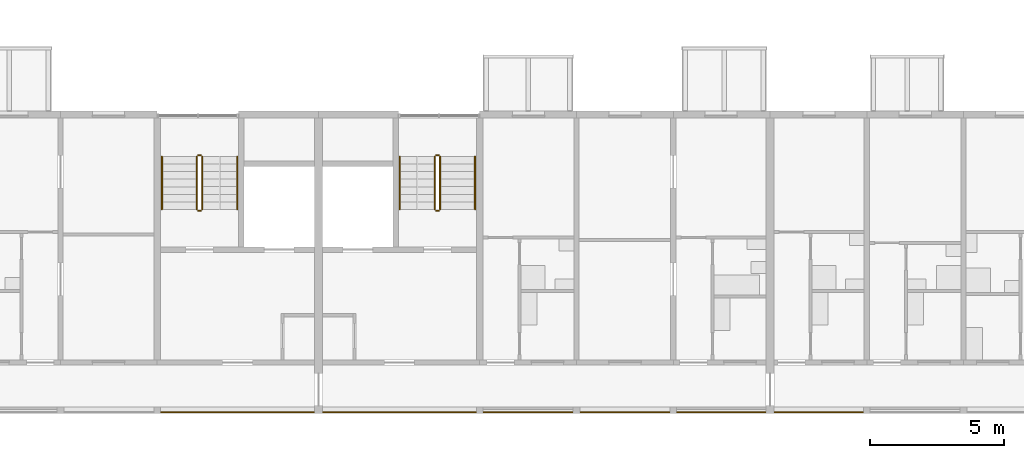
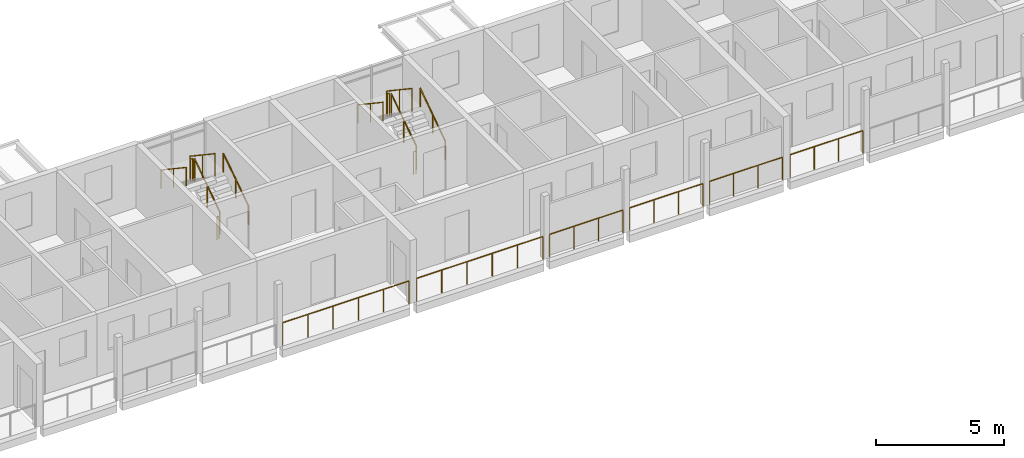
# One storey, part 74 of 94: 18 railings.
"""IFC4 building model written with IfcOpenShell, lengths in metres."""

from ifc_helpers import new_model, si_unit, direction, frame, origin, origin_2d, place, context, subcontext, project, spatial, circle, extrude, material, type_object, element, save


model = new_model("IFC4")

# Units and contexts
model_context = context("Model", 3, precision=1e-05, world=origin(), true_north=direction((0.0, 1.0)))
body_context = subcontext(model_context, "Body", "Model", "MODEL_VIEW")
ifc_project = project(units=[si_unit("LENGTHUNIT", "METRE"), si_unit("AREAUNIT", "SQUARE_METRE"), si_unit("VOLUMEUNIT", "CUBIC_METRE"), si_unit("PLANEANGLEUNIT", "RADIAN"), si_unit("MASSUNIT", "GRAM", prefix="KILO")], contexts=[model_context])

# Site, building, storey
site_placement = place(None, origin())
site = spatial("IfcSite", under=ifc_project, at=site_placement, CompositionType="ELEMENT")
building_placement = place(site_placement, origin())
building = spatial("IfcBuilding", under=site, at=building_placement, Name="Ridgestep Commons", CompositionType="ELEMENT")
storey_placement = place(building_placement, frame((0.0, 0.0, 24.0)))
storey = spatial("IfcBuildingStorey", under=building, at=storey_placement, Name="L08", CompositionType="ELEMENT", Elevation=24.0)

# Railings
ifc_material_1 = material(Name="Structural steel S355JR", Category="steel")
railing_type_1 = type_object("IfcRailingType", Name="Guard 1100", PredefinedType="GUARDRAIL", material=ifc_material_1)
railing_1_placement = place(storey_placement, frame((39.74609375, 11.800048828125, 0.0)))
element("IfcRailing", 1, at=railing_1_placement, inside=storey, type_object=railing_type_1, Name="Gallery guard A 08.8", PredefinedType="GUARDRAIL", context=body_context, shape_type="SweptSolid", body=[
    extrude(circle(Radius=0.02392578125, at=origin_2d()), frame((0.0, 0.0, 1.076171875), z_axis=(1.0, 0.0, 0.0), x_axis=(0.0, 1.0, 0.0)), (0.0, 0.0, 1.0), 5.682861328125),
    extrude(circle(Radius=0.02099609375, at=origin_2d()), origin(), (0.0, 0.0, 1.0), 1.052001953125),
    extrude(circle(Radius=0.02099609375, at=origin_2d()), frame((1.136474609375, 0.0, 0.0)), (0.0, 0.0, 1.0), 1.052001953125),
    extrude(circle(Radius=0.02099609375, at=origin_2d()), frame((2.273193359375, 0.0, 0.0)), (0.0, 0.0, 1.0), 1.052001953125),
    extrude(circle(Radius=0.02099609375, at=origin_2d()), frame((3.40966796875, 0.0, 0.0)), (0.0, 0.0, 1.0), 1.052001953125),
    extrude(circle(Radius=0.02099609375, at=origin_2d()), frame((4.54638671875, 0.0, 0.0)), (0.0, 0.0, 1.0), 1.052001953125),
    extrude(circle(Radius=0.02099609375, at=origin_2d()), frame((5.682861328125, 0.0, 0.0)), (0.0, 0.0, 1.0), 1.052001953125),
])
railing_2_placement = place(storey_placement, frame((45.77099609375, 11.800048828125, 0.0)))
element("IfcRailing", 2, at=railing_2_placement, inside=storey, type_object=railing_type_1, Name="Gallery guard A 08.9", PredefinedType="GUARDRAIL", context=body_context, shape_type="SweptSolid", body=[
    extrude(circle(Radius=0.02392578125, at=origin_2d()), frame((0.0, 0.0, 1.076171875), z_axis=(1.0, 0.0, 0.0), x_axis=(0.0, 1.0, 0.0)), (0.0, 0.0, 1.0), 5.68310546875),
    extrude(circle(Radius=0.02099609375, at=origin_2d()), origin(), (0.0, 0.0, 1.0), 1.052001953125),
    extrude(circle(Radius=0.02099609375, at=origin_2d()), frame((1.13671875, 0.0, 0.0)), (0.0, 0.0, 1.0), 1.052001953125),
    extrude(circle(Radius=0.02099609375, at=origin_2d()), frame((2.273193359375, 0.0, 0.0)), (0.0, 0.0, 1.0), 1.052001953125),
    extrude(circle(Radius=0.02099609375, at=origin_2d()), frame((3.409912109375, 0.0, 0.0)), (0.0, 0.0, 1.0), 1.052001953125),
    extrude(circle(Radius=0.02099609375, at=origin_2d()), frame((4.54638671875, 0.0, 0.0)), (0.0, 0.0, 1.0), 1.052001953125),
    extrude(circle(Radius=0.02099609375, at=origin_2d()), frame((5.68310546875, 0.0, 0.0)), (0.0, 0.0, 1.0), 1.052001953125),
])
railing_3_placement = place(storey_placement, frame((51.74609375, 11.800048828125, 0.0)))
element("IfcRailing", 3, at=railing_3_placement, inside=storey, type_object=railing_type_1, Name="Gallery guard A 08.10", PredefinedType="GUARDRAIL", context=body_context, shape_type="SweptSolid", body=[
    extrude(circle(Radius=0.02392578125, at=origin_2d()), frame((0.0, 0.0, 1.076171875), z_axis=(1.0, 0.0, 0.0), x_axis=(0.0, 1.0, 0.0)), (0.0, 0.0, 1.0), 3.307861328125),
    extrude(circle(Radius=0.02099609375, at=origin_2d()), origin(), (0.0, 0.0, 1.0), 1.052001953125),
    extrude(circle(Radius=0.02099609375, at=origin_2d()), frame((1.1025390625, 0.0, 0.0)), (0.0, 0.0, 1.0), 1.052001953125),
    extrude(circle(Radius=0.02099609375, at=origin_2d()), frame((2.205322265625, 0.0, 0.0)), (0.0, 0.0, 1.0), 1.052001953125),
    extrude(circle(Radius=0.02099609375, at=origin_2d()), frame((3.307861328125, 0.0, 0.0)), (0.0, 0.0, 1.0), 1.052001953125),
])
railing_4_placement = place(storey_placement, frame((55.345947265625, 11.800048828125, 0.0)))
element("IfcRailing", 4, at=railing_4_placement, inside=storey, type_object=railing_type_1, Name="Gallery guard A 08.11", PredefinedType="GUARDRAIL", context=body_context, shape_type="SweptSolid", body=[
    extrude(circle(Radius=0.02392578125, at=origin_2d()), frame((0.0, 0.0, 1.076171875), z_axis=(1.0, 0.0, 0.0), x_axis=(0.0, 1.0, 0.0)), (0.0, 0.0, 1.0), 3.30810546875),
    extrude(circle(Radius=0.02099609375, at=origin_2d()), origin(), (0.0, 0.0, 1.0), 1.052001953125),
    extrude(circle(Radius=0.02099609375, at=origin_2d()), frame((1.102783203125, 0.0, 0.0)), (0.0, 0.0, 1.0), 1.052001953125),
    extrude(circle(Radius=0.02099609375, at=origin_2d()), frame((2.205322265625, 0.0, 0.0)), (0.0, 0.0, 1.0), 1.052001953125),
    extrude(circle(Radius=0.02099609375, at=origin_2d()), frame((3.30810546875, 0.0, 0.0)), (0.0, 0.0, 1.0), 1.052001953125),
])
for number, where, name in (
    (5, (58.946044921875, 11.800048828125, 0.0), "Gallery guard A 08.12"),
    (6, (62.571044921875, 11.800048828125, 0.0), "Gallery guard A 08.13"),
):
    element("IfcRailing", number, at=place(storey_placement, frame(where)), inside=storey, type_object=railing_type_1, Name=name, PredefinedType="GUARDRAIL", context=body_context, shape_type="SweptSolid", body=[
        extrude(circle(Radius=0.02392578125, at=origin_2d()), frame((0.0, 0.0, 1.076171875), z_axis=(1.0, 0.0, 0.0), x_axis=(0.0, 1.0, 0.0)), (0.0, 0.0, 1.0), 3.282958984375),
        extrude(circle(Radius=0.02099609375, at=origin_2d()), origin(), (0.0, 0.0, 1.0), 1.052001953125),
        extrude(circle(Radius=0.02099609375, at=origin_2d()), frame((1.09423828125, 0.0, 0.0)), (0.0, 0.0, 1.0), 1.052001953125),
        extrude(circle(Radius=0.02099609375, at=origin_2d()), frame((2.188720703125, 0.0, 0.0)), (0.0, 0.0, 1.0), 1.052001953125),
        extrude(circle(Radius=0.02099609375, at=origin_2d()), frame((3.282958984375, 0.0, 0.0)), (0.0, 0.0, 1.0), 1.052001953125),
    ])
ifc_material_2 = material(Name="Structural steel S355JR", Category="steel")
railing_type_2 = type_object("IfcRailingType", Name="Stair guard 1100", PredefinedType="GUARDRAIL", material=ifc_material_2)
railing_5_placement = place(storey_placement, frame((41.27490234375, 19.35009765625, 0.1875)))
element("IfcRailing", 7, at=railing_5_placement, inside=storey, type_object=railing_type_2, Name="L08 A2C stair guard 1", PredefinedType="GUARDRAIL", context=body_context, shape_type="SweptSolid", body=[
    extrude(circle(Radius=0.02392578125, at=origin_2d()), frame((0.0, 0.0, 1.076171875), z_axis=(0.0, 0.830902050051, 0.556418712142), x_axis=(-1.0, 0.0, 0.0)), (0.0, 0.0, 1.0), 2.35888671875),
    extrude(circle(Radius=0.02099609375, at=origin_2d()), origin(), (0.0, 0.0, 1.0), 1.052001953125),
    extrude(circle(Radius=0.02099609375, at=origin_2d()), frame((0.0, 0.97998046875, 0.65625)), (0.0, 0.0, 1.0), 1.052001953125),
    extrude(circle(Radius=0.02099609375, at=origin_2d()), frame((0.0, 1.9599609375, 1.3125)), (0.0, 0.0, 1.0), 1.052001953125),
])
railing_6_placement = place(storey_placement, frame((41.22509765625, 21.360107421875, 1.5)))
element("IfcRailing", 8, at=railing_6_placement, inside=storey, type_object=railing_type_2, Name="L08 A2C stair guard 2", PredefinedType="GUARDRAIL", context=body_context, shape_type="SweptSolid", body=[
    extrude(circle(Radius=0.02392578125, at=origin_2d()), frame((0.0, 0.0, 1.076171875), z_axis=(-1.0, 0.0, 0.0), x_axis=(0.0, -1.0, 0.0)), (0.0, 0.0, 1.0), 0.10009765625),
    extrude(circle(Radius=0.02099609375, at=origin_2d()), origin(), (0.0, 0.0, 1.0), 1.052001953125),
    extrude(circle(Radius=0.02099609375, at=origin_2d()), frame((-0.10009765625, 0.0, 0.0)), (0.0, 0.0, 1.0), 1.052001953125),
])
railing_7_placement = place(storey_placement, frame((41.074951171875, 21.31005859375, 1.6875)))
element("IfcRailing", 9, at=railing_7_placement, inside=storey, type_object=railing_type_2, Name="L08 A2C stair guard 3", PredefinedType="GUARDRAIL", context=body_context, shape_type="SweptSolid", body=[
    extrude(circle(Radius=0.02392578125, at=origin_2d()), frame((0.0, 0.0, 1.076171875), z_axis=(0.0, -0.830902050051, 0.556418712142), x_axis=(1.0, 0.0, 0.0)), (0.0, 0.0, 1.0), 2.35888671875),
    extrude(circle(Radius=0.02099609375, at=origin_2d()), origin(), (0.0, 0.0, 1.0), 1.052001953125),
    extrude(circle(Radius=0.02099609375, at=origin_2d()), frame((0.0, -0.97998046875, 0.65625)), (0.0, 0.0, 1.0), 1.052001953125),
    extrude(circle(Radius=0.02099609375, at=origin_2d()), frame((0.0, -1.9599609375, 1.3125)), (0.0, 0.0, 1.0), 1.052001953125),
])
railing_8_placement = place(storey_placement, frame((41.22509765625, 19.300048828125, 0.0)))
element("IfcRailing", 10, at=railing_8_placement, inside=storey, type_object=railing_type_2, Name="L08 A2C stair guard 4", PredefinedType="GUARDRAIL", context=body_context, shape_type="SweptSolid", body=[
    extrude(circle(Radius=0.02392578125, at=origin_2d()), frame((0.0, 0.0, 1.076171875), z_axis=(-1.0, 0.0, 0.0), x_axis=(0.0, -1.0, 0.0)), (0.0, 0.0, 1.0), 0.10009765625),
    extrude(circle(Radius=0.02099609375, at=origin_2d()), origin(), (0.0, 0.0, 1.0), 1.052001953125),
    extrude(circle(Radius=0.02099609375, at=origin_2d()), frame((-0.10009765625, 0.0, 0.0)), (0.0, 0.0, 1.0), 1.052001953125),
])
railing_9_placement = place(storey_placement, frame((50.125, 19.35009765625, 0.1875)))
element("IfcRailing", 11, at=railing_9_placement, inside=storey, type_object=railing_type_2, Name="L08 A3C stair guard 1", PredefinedType="GUARDRAIL", context=body_context, shape_type="SweptSolid", body=[
    extrude(circle(Radius=0.02392578125, at=origin_2d()), frame((0.0, 0.0, 1.076171875), z_axis=(0.0, 0.830902050051, 0.556418712142), x_axis=(-1.0, 0.0, 0.0)), (0.0, 0.0, 1.0), 2.35888671875),
    extrude(circle(Radius=0.02099609375, at=origin_2d()), origin(), (0.0, 0.0, 1.0), 1.052001953125),
    extrude(circle(Radius=0.02099609375, at=origin_2d()), frame((0.0, 0.97998046875, 0.65625)), (0.0, 0.0, 1.0), 1.052001953125),
    extrude(circle(Radius=0.02099609375, at=origin_2d()), frame((0.0, 1.9599609375, 1.3125)), (0.0, 0.0, 1.0), 1.052001953125),
])
railing_10_placement = place(storey_placement, frame((50.074951171875, 21.360107421875, 1.5)))
element("IfcRailing", 12, at=railing_10_placement, inside=storey, type_object=railing_type_2, Name="L08 A3C stair guard 2", PredefinedType="GUARDRAIL", context=body_context, shape_type="SweptSolid", body=[
    extrude(circle(Radius=0.02392578125, at=origin_2d()), frame((0.0, 0.0, 1.076171875), z_axis=(-1.0, 0.0, 0.0), x_axis=(0.0, -1.0, 0.0)), (0.0, 0.0, 1.0), 0.099853515625),
    extrude(circle(Radius=0.02099609375, at=origin_2d()), origin(), (0.0, 0.0, 1.0), 1.052001953125),
    extrude(circle(Radius=0.02099609375, at=origin_2d()), frame((-0.099853515625, 0.0, 0.0)), (0.0, 0.0, 1.0), 1.052001953125),
])
railing_11_placement = place(storey_placement, frame((49.925048828125, 21.31005859375, 1.6875)))
element("IfcRailing", 13, at=railing_11_placement, inside=storey, type_object=railing_type_2, Name="L08 A3C stair guard 3", PredefinedType="GUARDRAIL", context=body_context, shape_type="SweptSolid", body=[
    extrude(circle(Radius=0.02392578125, at=origin_2d()), frame((0.0, 0.0, 1.076171875), z_axis=(0.0, -0.830902050051, 0.556418712142), x_axis=(1.0, 0.0, 0.0)), (0.0, 0.0, 1.0), 2.35888671875),
    extrude(circle(Radius=0.02099609375, at=origin_2d()), origin(), (0.0, 0.0, 1.0), 1.052001953125),
    extrude(circle(Radius=0.02099609375, at=origin_2d()), frame((0.0, -0.97998046875, 0.65625)), (0.0, 0.0, 1.0), 1.052001953125),
    extrude(circle(Radius=0.02099609375, at=origin_2d()), frame((0.0, -1.9599609375, 1.3125)), (0.0, 0.0, 1.0), 1.052001953125),
])
railing_12_placement = place(storey_placement, frame((50.074951171875, 19.300048828125, 0.0)))
element("IfcRailing", 14, at=railing_12_placement, inside=storey, type_object=railing_type_2, Name="L08 A3C stair guard 4", PredefinedType="GUARDRAIL", context=body_context, shape_type="SweptSolid", body=[
    extrude(circle(Radius=0.02392578125, at=origin_2d()), frame((0.0, 0.0, 1.076171875), z_axis=(-1.0, 0.0, 0.0), x_axis=(0.0, -1.0, 0.0)), (0.0, 0.0, 1.0), 0.099853515625),
    extrude(circle(Radius=0.02099609375, at=origin_2d()), origin(), (0.0, 0.0, 1.0), 1.052001953125),
    extrude(circle(Radius=0.02099609375, at=origin_2d()), frame((-0.099853515625, 0.0, 0.0)), (0.0, 0.0, 1.0), 1.052001953125),
])
ifc_material_3 = material(Name="Structural steel S355JR", Category="steel")
railing_type_3 = type_object("IfcRailingType", Name="Stair handrail 900", PredefinedType="HANDRAIL", material=ifc_material_3)
railing_13_placement = place(storey_placement, frame((42.574951171875, 19.35009765625, 0.1875)))
element("IfcRailing", 15, at=railing_13_placement, inside=storey, type_object=railing_type_3, Name="L08 A2C stair handrail 1", PredefinedType="HANDRAIL", context=body_context, shape_type="SweptSolid", body=[
    extrude(circle(Radius=0.02392578125, at=origin_2d()), frame((0.0, 0.0, 0.8759765625), z_axis=(0.0, 0.830902050051, 0.556418712142), x_axis=(-1.0, 0.0, 0.0)), (0.0, 0.0, 1.0), 2.35888671875),
    extrude(circle(Radius=0.02099609375, at=origin_2d()), origin(), (0.0, 0.0, 1.0), 0.851806640625),
    extrude(circle(Radius=0.02099609375, at=origin_2d()), frame((0.0, 0.97998046875, 0.65625)), (0.0, 0.0, 1.0), 0.851806640625),
    extrude(circle(Radius=0.02099609375, at=origin_2d()), frame((0.0, 1.9599609375, 1.3125)), (0.0, 0.0, 1.0), 0.851806640625),
])
railing_14_placement = place(storey_placement, frame((39.77490234375, 21.31005859375, 1.6875)))
element("IfcRailing", 16, at=railing_14_placement, inside=storey, type_object=railing_type_3, Name="L08 A2C stair handrail 2", PredefinedType="HANDRAIL", context=body_context, shape_type="SweptSolid", body=[
    extrude(circle(Radius=0.02392578125, at=origin_2d()), frame((0.0, 0.0, 0.8759765625), z_axis=(0.0, -0.830902050051, 0.556418712142), x_axis=(1.0, 0.0, 0.0)), (0.0, 0.0, 1.0), 2.35888671875),
    extrude(circle(Radius=0.02099609375, at=origin_2d()), origin(), (0.0, 0.0, 1.0), 0.851806640625),
    extrude(circle(Radius=0.02099609375, at=origin_2d()), frame((0.0, -0.97998046875, 0.65625)), (0.0, 0.0, 1.0), 0.851806640625),
    extrude(circle(Radius=0.02099609375, at=origin_2d()), frame((0.0, -1.9599609375, 1.3125)), (0.0, 0.0, 1.0), 0.851806640625),
])
railing_15_placement = place(storey_placement, frame((51.425048828125, 19.35009765625, 0.1875)))
element("IfcRailing", 17, at=railing_15_placement, inside=storey, type_object=railing_type_3, Name="L08 A3C stair handrail 1", PredefinedType="HANDRAIL", context=body_context, shape_type="SweptSolid", body=[
    extrude(circle(Radius=0.02392578125, at=origin_2d()), frame((0.0, 0.0, 0.8759765625), z_axis=(0.0, 0.830902050051, 0.556418712142), x_axis=(-1.0, 0.0, 0.0)), (0.0, 0.0, 1.0), 2.35888671875),
    extrude(circle(Radius=0.02099609375, at=origin_2d()), origin(), (0.0, 0.0, 1.0), 0.851806640625),
    extrude(circle(Radius=0.02099609375, at=origin_2d()), frame((0.0, 0.97998046875, 0.65625)), (0.0, 0.0, 1.0), 0.851806640625),
    extrude(circle(Radius=0.02099609375, at=origin_2d()), frame((0.0, 1.9599609375, 1.3125)), (0.0, 0.0, 1.0), 0.851806640625),
])
railing_16_placement = place(storey_placement, frame((48.625, 21.31005859375, 1.6875)))
element("IfcRailing", 18, at=railing_16_placement, inside=storey, type_object=railing_type_3, Name="L08 A3C stair handrail 2", PredefinedType="HANDRAIL", context=body_context, shape_type="SweptSolid", body=[
    extrude(circle(Radius=0.02392578125, at=origin_2d()), frame((0.0, 0.0, 0.8759765625), z_axis=(0.0, -0.830902050051, 0.556418712142), x_axis=(1.0, 0.0, 0.0)), (0.0, 0.0, 1.0), 2.35888671875),
    extrude(circle(Radius=0.02099609375, at=origin_2d()), origin(), (0.0, 0.0, 1.0), 0.851806640625),
    extrude(circle(Radius=0.02099609375, at=origin_2d()), frame((0.0, -0.97998046875, 0.65625)), (0.0, 0.0, 1.0), 0.851806640625),
    extrude(circle(Radius=0.02099609375, at=origin_2d()), frame((0.0, -1.9599609375, 1.3125)), (0.0, 0.0, 1.0), 0.851806640625),
])

save(model, "model.ifc")
